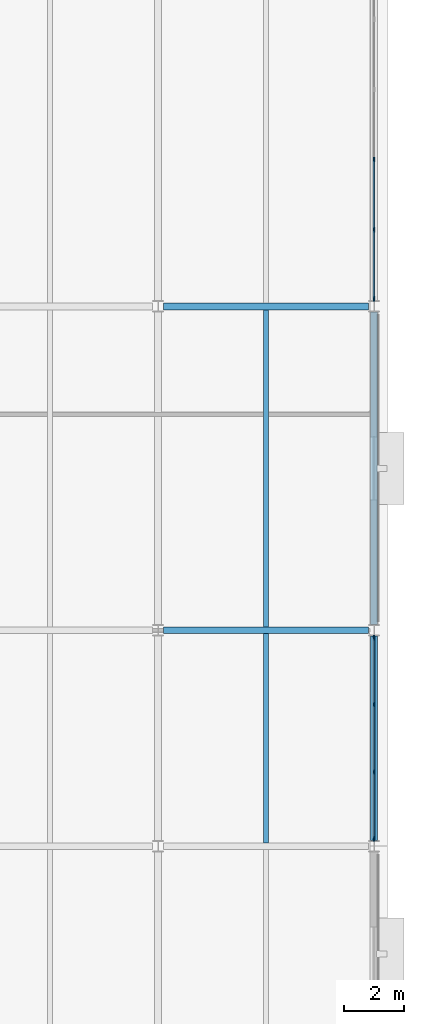
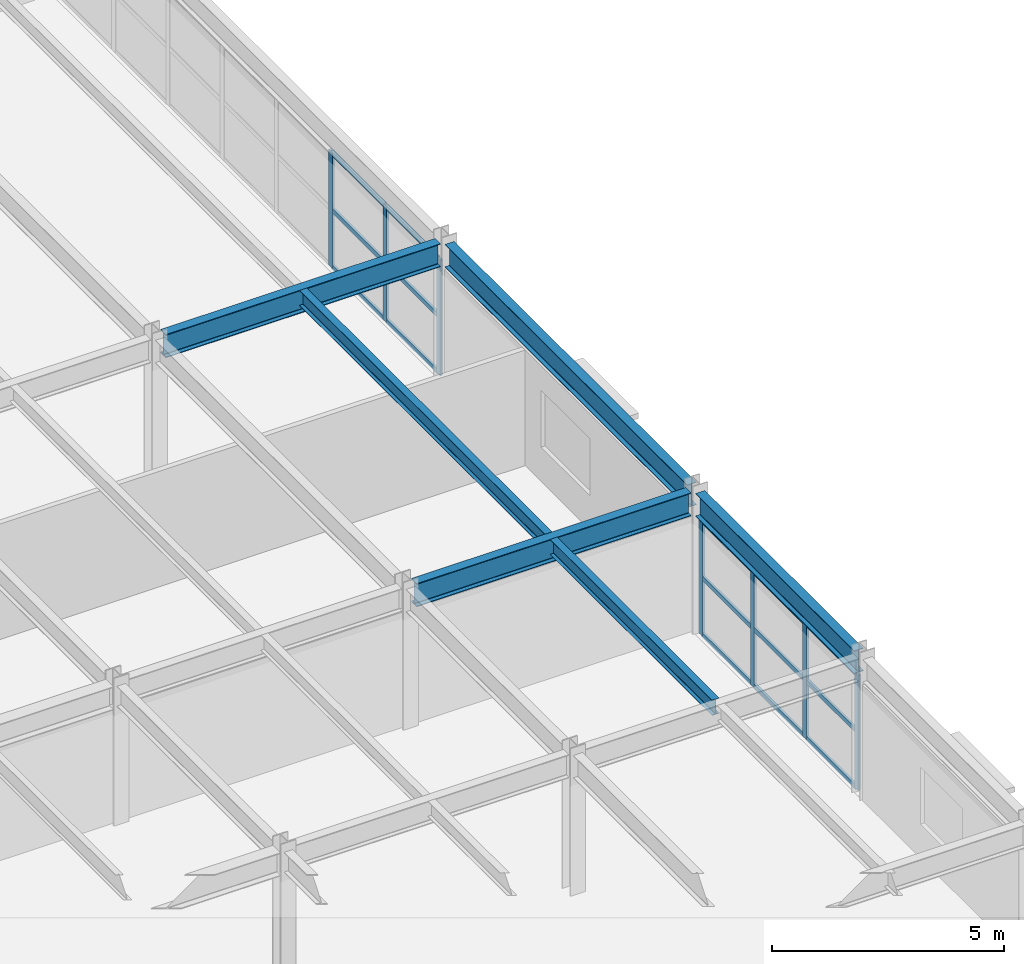
# One storey, part 39 of 93: 22 members, 6 beams, 2 elements without a shape of their own.
"""IFC4 building model written with IfcOpenShell, lengths in metres."""

import ifcopenshell
import ifcopenshell.guid

model = None  # the IFC model being written
_history = None  # IfcOwnerHistory: only IFC2X3 demands one
_inside = {}  # id of a spatial element -> (the spatial element, [elements in it])
_under = {}  # id of a project, library or spatial element -> (it, [spatial elements below it])
_declared = {}  # id of a project -> (the project, [libraries it declares])
_typed = {}  # id of a type object -> (the type object, [elements of that type])
_made_of = {}  # id of a material, layer set ... -> (it, [elements and type objects made of it])


def new_model(schema):
    """Start an empty IFC model of exactly this schema.

    Asked for "IFC4X3", IfcOpenShell would pick the latest addendum, in which some entities
    have other attributes; the version numbers below select the first issue.
    IFC2X3 requires an IfcOwnerHistory on every rooted entity: one is made here for all.
    """
    global model, _history
    if schema == "IFC4X3":
        model = ifcopenshell.file(schema_version=(4, 3, 0, 0))
    else:
        model = ifcopenshell.file(schema=schema)
    _inside.clear()
    _under.clear()
    _declared.clear()
    _typed.clear()
    _made_of.clear()
    _history = None
    if model.schema == "IFC2X3":
        org = make("IfcOrganization", Name="unknown")
        user = make(
            "IfcPersonAndOrganization",
            ThePerson=make("IfcPerson", FamilyName="unknown"),
            TheOrganization=org,
        )
        app = make(
            "IfcApplication",
            ApplicationDeveloper=org,
            Version="unknown",
            ApplicationFullName="unknown",
            ApplicationIdentifier="unknown",
        )
        _history = make(
            "IfcOwnerHistory",
            OwningUser=user,
            OwningApplication=app,
            ChangeAction="ADDED",
            CreationDate=0,
        )
    return model


def make(cls, **values):
    """One entity of the class cls with the attributes given. An attribute that is None is left unset."""
    return model.create_entity(
        cls, **{name: value for name, value in values.items() if value is not None}
    )


def rooted(cls, **values):
    """An entity with a GlobalId (a new one), such as an element, a storey or a relation."""
    return make(cls, GlobalId=ifcopenshell.guid.new(), OwnerHistory=_history, **values)


def si_unit(unit_type, name, prefix=None):
    """IfcSIUnit, for example si_unit("LENGTHUNIT", "METRE", prefix="MILLI")."""
    return make("IfcSIUnit", UnitType=unit_type, Prefix=prefix, Name=name)


def assignment(units):
    """IfcUnitAssignment: the units of a project."""
    return None if units is None else make("IfcUnitAssignment", Units=units)


def point(xyz):
    """IfcCartesianPoint."""
    return None if xyz is None else make("IfcCartesianPoint", Coordinates=xyz)


def direction(xyz):
    """IfcDirection."""
    return None if xyz is None else make("IfcDirection", DirectionRatios=xyz)


def frame(location, z_axis=None, x_axis=None):
    """IfcAxis2Placement3D, a coordinate frame: its origin and axes. An axis left out is left unset."""
    return make(
        "IfcAxis2Placement3D",
        Location=point(location),
        Axis=direction(z_axis),
        RefDirection=direction(x_axis),
    )


def frame_2d(location, x_axis=None):
    """IfcAxis2Placement2D, a coordinate frame in the plane: its origin and x axis."""
    return make(
        "IfcAxis2Placement2D", Location=point(location), RefDirection=direction(x_axis)
    )


def origin():
    """The frame at (0, 0, 0) with its axes left unset."""
    return frame((0.0, 0.0, 0.0))


def origin_2d():
    """The frame at (0, 0) in the plane with its x axis left unset."""
    return frame_2d((0.0, 0.0))


def place(relative_to, where):
    """IfcLocalPlacement: puts the frame where relative to a parent placement (None: the world)."""
    return make(
        "IfcLocalPlacement", PlacementRelTo=relative_to, RelativePlacement=where
    )


def context(
    kind, dimensions, precision=None, world=None, true_north=None, identifier=None
):
    """IfcGeometricRepresentationContext, for example the 3D "Model" context."""
    return make(
        "IfcGeometricRepresentationContext",
        ContextIdentifier=identifier,
        ContextType=kind,
        CoordinateSpaceDimension=dimensions,
        Precision=precision,
        WorldCoordinateSystem=world,
        TrueNorth=true_north,
    )


def subcontext(parent, identifier, kind, view, scale=None):
    """IfcGeometricRepresentationSubContext, for example "Body" below "Model"."""
    return make(
        "IfcGeometricRepresentationSubContext",
        ContextIdentifier=identifier,
        ContextType=kind,
        ParentContext=parent,
        TargetScale=scale,
        TargetView=view,
    )


def project(units=None, contexts=None):
    """IfcProject with its units and contexts."""
    return rooted(
        "IfcProject",
        Name="project",
        RepresentationContexts=contexts,
        UnitsInContext=assignment(units),
    )


def spatial(cls, under=None, at=None, **own):
    """A site, building, storey or space (cls), placed at a placement, below another one or the project."""
    s = rooted(cls, ObjectPlacement=at, **own)
    if under is not None:
        _under.setdefault(under.id(), (under, []))[1].append(s)
    return s


def profile(cls, at=None, kind="AREA", **sizes):
    """A parametric profile (cls). Its sizes go by their IFC names, for example OverallWidth=200.0."""
    return make(cls, ProfileType=kind, Position=at, **sizes)


def rectangle(**sizes):
    """IfcRectangleProfileDef."""
    return profile("IfcRectangleProfileDef", **sizes)


def i_section(**sizes):
    """IfcIShapeProfileDef."""
    return profile("IfcIShapeProfileDef", **sizes)


def extrude(swept, where, along, depth):
    """IfcExtrudedAreaSolid: the profile swept, set in the frame where, extruded along a direction by depth."""
    return make(
        "IfcExtrudedAreaSolid",
        SweptArea=swept,
        Position=where,
        ExtrudedDirection=direction(along),
        Depth=depth,
    )


def shape(context_of_items, identifier, shape_type, items):
    """IfcShapeRepresentation: the items that make up one representation, for example the "Body"."""
    return make(
        "IfcShapeRepresentation",
        ContextOfItems=context_of_items,
        RepresentationIdentifier=identifier,
        RepresentationType=shape_type,
        Items=items,
    )


def material(Name=None, Category=None):
    """IfcMaterial."""
    return make("IfcMaterial", Name=Name, Category=Category)


def material_profile(
    of_material, cross_section, Name=None, Category=None, Priority=None
):
    """IfcMaterialProfile: a cross section and its material."""
    return make(
        "IfcMaterialProfile",
        Name=Name,
        Material=of_material,
        Profile=cross_section,
        Priority=Priority,
        Category=Category,
    )


def profile_set(profiles, Name=None, composite=None):
    """IfcMaterialProfileSet."""
    return make(
        "IfcMaterialProfileSet",
        Name=Name,
        MaterialProfiles=profiles,
        CompositeProfile=composite,
    )


def made_of(thing, what):
    """Note that an element or type object is made of a material, layer set ...; save() writes the relation."""
    if what is not None:
        _made_of.setdefault(what.id(), (what, []))[1].append(thing)
    return thing


def type_object(cls, material=None, **own):
    """A type object (cls), such as IfcWallType, which elements share."""
    return made_of(rooted(cls, **own), material)


def element(
    cls,
    number,
    at=None,
    inside=None,
    cuts=None,
    type_object=None,
    material=None,
    context=None,
    identifier="Body",
    shape_type=None,
    held_by="IfcProductDefinitionShape",
    body=None,
    shapes=None,
    **own,
):
    """One element of the class cls, such as IfcWall. Its Tag is "e" and its number.

    at: its placement. inside: the storey or other place that contains it. cuts: it is an
    opening in that element (IfcRelVoidsElement). A single representation is given by context,
    identifier, shape_type and body (its items); several are given by shapes. held_by: the class
    of the entity that holds the representations. save() writes the other relations.
    """
    e = rooted(cls, Tag="e%d" % number, ObjectPlacement=at, **own)
    if body is not None:
        shapes = [shape(context, identifier, shape_type, body)]
    if shapes is not None:
        e.Representation = make(held_by, Representations=shapes)
    if inside is not None:
        _inside.setdefault(inside.id(), (inside, []))[1].append(e)
    if cuts is not None:
        rooted(
            "IfcRelVoidsElement", RelatingBuildingElement=cuts, RelatedOpeningElement=e
        )
    if type_object is not None:
        _typed.setdefault(type_object.id(), (type_object, []))[1].append(e)
    return made_of(e, material)


def aggregate(whole, parts):
    """IfcRelAggregates: a whole, such as a stair, and the parts it consists of."""
    return rooted("IfcRelAggregates", RelatingObject=whole, RelatedObjects=parts)


def save(model, path):
    """Write the relations noted so far, then the file.

    IfcRelAggregates (storeys below a building ...), IfcRelContainedInSpatialStructure (elements
    in a storey), IfcRelDefinesByType, IfcRelAssociatesMaterial and IfcRelDeclares: one each for
    every whole, place, type object, material and project.
    """
    for whole, parts in _under.values():
        aggregate(whole, parts)
    for where, things in _inside.values():
        rooted(
            "IfcRelContainedInSpatialStructure",
            RelatedElements=things,
            RelatingStructure=where,
        )
    for kind, things in _typed.values():
        rooted("IfcRelDefinesByType", RelatedObjects=things, RelatingType=kind)
    for what, things in _made_of.values():
        rooted("IfcRelAssociatesMaterial", RelatedObjects=things, RelatingMaterial=what)
    for by, libraries in _declared.values():
        rooted("IfcRelDeclares", RelatingContext=by, RelatedDefinitions=libraries)
    model.write(path)


model = new_model("IFC4")

# Units and contexts
model_context = context("Model", 3, precision=1e-05, world=origin(), true_north=direction((0.0, 1.0)))
body_context = subcontext(model_context, "Body", "Model", "MODEL_VIEW")
ifc_project = project(units=[si_unit("LENGTHUNIT", "METRE"), si_unit("AREAUNIT", "SQUARE_METRE"), si_unit("VOLUMEUNIT", "CUBIC_METRE"), si_unit("PLANEANGLEUNIT", "RADIAN"), si_unit("MASSUNIT", "GRAM", prefix="KILO")], contexts=[model_context])

# Site, building, storey
site_placement = place(None, origin())
site = spatial("IfcSite", under=ifc_project, at=site_placement, CompositionType="ELEMENT")
building_placement = place(site_placement, origin())
building = spatial("IfcBuilding", under=site, at=building_placement, Name="Vaelcorin Mobility Hub", CompositionType="ELEMENT")
storey_placement = place(building_placement, frame((0.0, 0.0, 5.39990234375)))
storey = spatial("IfcBuildingStorey", under=building, at=storey_placement, Name="L01", CompositionType="ELEMENT", Elevation=5.39990234375)

# Beams
ifc_material_1 = material(Name="Steel ASTM A992 Grade 50", Category="steel")
ifc_material_profile_1 = material_profile(ifc_material_1, i_section(OverallWidth=0.177978515625, OverallDepth=0.404052734375, WebThickness=0.007568359375, FlangeThickness=0.010986328125, FilletRadius=0.012939453125, at=origin_2d()), Name="W16X36")
ifc_profile_set_1 = profile_set([ifc_material_profile_1], Name="Steel ASTM A992 Grade 50")
beam_type_1 = type_object("IfcBeamType", Name="BM-W16X36", PredefinedType="JOIST", material=ifc_profile_set_1)
beam_1_placement = place(storey_placement, frame((200.39990234375, 42.112060546875, 3.498046875), z_axis=(0.0, 1.0, 0.0), x_axis=(-1.0, 0.0, 0.0)))
element("IfcBeam", 1, at=beam_1_placement, inside=storey, type_object=beam_type_1, Name="L01 Beam V5E-L01-J-02-06-1", PredefinedType="JOIST", context=body_context, shape_type="SweptSolid", body=[
    extrude(i_section(OverallWidth=0.177978515625, OverallDepth=0.404052734375, WebThickness=0.007568359375, FlangeThickness=0.010986328125, FilletRadius=0.012939453125, at=origin_2d()), origin(), (0.0, 0.0, 1.0), 6.975830078125),
])
beam_2_placement = place(storey_placement, frame((200.39990234375, 49.31201171875, 3.498046875), z_axis=(0.0, 1.0, 0.0), x_axis=(-1.0, 0.0, 0.0)))
element("IfcBeam", 2, at=beam_2_placement, inside=storey, type_object=beam_type_1, Name="L01 Beam V5E-L01-J-02-07-1", PredefinedType="JOIST", context=body_context, shape_type="SweptSolid", body=[
    extrude(i_section(OverallWidth=0.177978515625, OverallDepth=0.404052734375, WebThickness=0.007568359375, FlangeThickness=0.010986328125, FilletRadius=0.012939453125, at=origin_2d()), origin(), (0.0, 0.0, 1.0), 10.575927734375),
])
ifc_material_profile_2 = material_profile(ifc_material_1, i_section(OverallWidth=0.22802734375, OverallDepth=0.60205078125, WebThickness=0.010498046875, FlangeThickness=0.014892578125, FilletRadius=0.014892578125, at=origin_2d()), Name="W24X68")
ifc_profile_set_2 = profile_set([ifc_material_profile_2], Name="Steel ASTM A992 Grade 50")
beam_type_2 = type_object("IfcBeamType", Name="BM-W24X68", PredefinedType="SPANDREL", material=ifc_profile_set_2)
beam_3_placement = place(storey_placement, frame((204.0, 42.18408203125, 3.399169921875), z_axis=(0.0, 1.0, 0.0), x_axis=(-1.0, 0.0, 0.0)))
element("IfcBeam", 3, at=beam_3_placement, inside=storey, type_object=beam_type_2, Name="L01 Beam V5E-L01-GY-03-06", PredefinedType="SPANDREL", context=body_context, shape_type="SweptSolid", body=[
    extrude(i_section(OverallWidth=0.22802734375, OverallDepth=0.60205078125, WebThickness=0.010498046875, FlangeThickness=0.014892578125, FilletRadius=0.014892578125, at=origin_2d()), origin(), (0.0, 0.0, 1.0), 6.83203125),
])
beam_4_placement = place(storey_placement, frame((204.0, 49.384033203125, 3.399169921875), z_axis=(0.0, 1.0, 0.0), x_axis=(-1.0, 0.0, 0.0)))
element("IfcBeam", 4, at=beam_4_placement, inside=storey, type_object=beam_type_2, Name="L01 Beam V5E-L01-GY-03-07", PredefinedType="SPANDREL", context=body_context, shape_type="SweptSolid", body=[
    extrude(i_section(OverallWidth=0.22802734375, OverallDepth=0.60205078125, WebThickness=0.010498046875, FlangeThickness=0.014892578125, FilletRadius=0.014892578125, at=origin_2d()), origin(), (0.0, 0.0, 1.0), 10.431884765625),
])
ifc_material_profile_3 = material_profile(ifc_material_1, i_section(OverallWidth=0.22900390625, OverallDepth=0.612060546875, WebThickness=0.011962890625, FlangeThickness=0.01953125, FilletRadius=0.014892578125, at=origin_2d()), Name="W24X84")
ifc_profile_set_3 = profile_set([ifc_material_profile_3], Name="Steel ASTM A992 Grade 50")
beam_type_3 = type_object("IfcBeamType", Name="BM-W24X84", PredefinedType="BEAM", material=ifc_profile_set_3)
for number, where, z_axis, x_axis, name in (
    (5, (196.985107421875, 49.199951171875, 3.39404296875), (1.0, 0.0, 0.0), (0.0, 1.0, 0.0), "L01 Beam V5E-L01-GX-07-02"),
    (6, (196.985107421875, 60.0, 3.39404296875), (1.0, 0.0, 0.0), (0.0, 1.0, 0.0), "L01 Beam V5E-L01-GX-08-02"),
):
    element("IfcBeam", number, at=place(storey_placement, frame(where, z_axis=z_axis, x_axis=x_axis)), inside=storey, type_object=beam_type_3, Name=name, PredefinedType="BEAM", context=body_context, shape_type="SweptSolid", body=[
        extrude(i_section(OverallWidth=0.22900390625, OverallDepth=0.612060546875, WebThickness=0.011962890625, FlangeThickness=0.01953125, FilletRadius=0.014892578125, at=origin_2d()), origin(), (0.0, 0.0, 1.0), 6.830810546875),
    ])

# Curtain wall, members
ifc_material_2 = material(Name="Anodised aluminium 6063-T6", Category="aluminium")
curtain_wall_type = type_object("IfcCurtainWallType", Name="CW-MOB-A", PredefinedType="NOTDEFINED", material=ifc_material_2)
curtain_wall_1_placement = place(storey_placement, origin())
curtain_wall_1 = element("IfcCurtainWall", 7, at=curtain_wall_1_placement, inside=storey, type_object=curtain_wall_type, Name="L01 Curtain Wall CW-V5-L01-E-06", PredefinedType="NOTDEFINED")
ifc_material_profile_4 = material_profile(ifc_material_2, rectangle(XDim=0.06005859375, YDim=0.159912109375, at=origin_2d()), Name="ALU-M60X160")
ifc_profile_set_4 = profile_set([ifc_material_profile_4], Name="Anodised aluminium 6063-T6")
member_type_1 = type_object("IfcMemberType", Name="CW-MULL-160", PredefinedType="MULLION", material=ifc_profile_set_4)
member_1_placement = place(storey_placement, frame((204.0, 48.949951171875, 0.0), z_axis=(0.0, 0.0, 1.0), x_axis=(1.0, 0.0, 0.0)))
member_1 = element("IfcMember", 8, at=member_1_placement, type_object=member_type_1, Name="CW7 mullion 1", PredefinedType="MULLION", context=body_context, shape_type="SweptSolid", body=[
    extrude(rectangle(XDim=0.06005859375, YDim=0.159912109375, at=origin_2d()), origin(), (0.0, 0.0, 1.0), 3.043212890625),
])
member_2_placement = place(storey_placement, frame((204.0, 46.7265625, 0.0), z_axis=(0.0, 0.0, 1.0), x_axis=(1.0, 0.0, 0.0)))
member_2 = element("IfcMember", 9, at=member_2_placement, type_object=member_type_1, Name="CW7 mullion 2", PredefinedType="MULLION", context=body_context, shape_type="SweptSolid", body=[
    extrude(rectangle(XDim=0.06005859375, YDim=0.159912109375, at=origin_2d()), origin(), (0.0, 0.0, 1.0), 3.043212890625),
])
member_3_placement = place(storey_placement, frame((204.0, 44.473388671875, 0.0), z_axis=(0.0, 0.0, 1.0), x_axis=(1.0, 0.0, 0.0)))
member_3 = element("IfcMember", 10, at=member_3_placement, type_object=member_type_1, Name="CW7 mullion 3", PredefinedType="MULLION", context=body_context, shape_type="SweptSolid", body=[
    extrude(rectangle(XDim=0.06005859375, YDim=0.159912109375, at=origin_2d()), origin(), (0.0, 0.0, 1.0), 3.043212890625),
])
member_4_placement = place(storey_placement, frame((204.0, 42.25, 0.0), z_axis=(0.0, 0.0, 1.0), x_axis=(1.0, 0.0, 0.0)))
member_4 = element("IfcMember", 11, at=member_4_placement, type_object=member_type_1, Name="CW7 mullion 4", PredefinedType="MULLION", context=body_context, shape_type="SweptSolid", body=[
    extrude(rectangle(XDim=0.06005859375, YDim=0.159912109375, at=origin_2d()), origin(), (0.0, 0.0, 1.0), 3.043212890625),
])

curtain_wall_2_placement = place(storey_placement, origin())
curtain_wall_2 = element("IfcCurtainWall", 12, at=curtain_wall_2_placement, inside=storey, type_object=curtain_wall_type, Name="L01 Curtain Wall CW-V5-L01-E-08", PredefinedType="NOTDEFINED")
member_5_placement = place(storey_placement, frame((204.0, 64.894287109375, 0.0), z_axis=(0.0, 0.0, 1.0), x_axis=(1.0, 0.0, 0.0)))
member_5 = element("IfcMember", 13, at=member_5_placement, type_object=member_type_1, Name="CW7 mullion 6", PredefinedType="MULLION", context=body_context, shape_type="SweptSolid", body=[
    extrude(rectangle(XDim=0.06005859375, YDim=0.159912109375, at=origin_2d()), origin(), (0.0, 0.0, 1.0), 3.043212890625),
])
member_6_placement = place(storey_placement, frame((204.0, 62.55712890625, 0.0), z_axis=(0.0, 0.0, 1.0), x_axis=(1.0, 0.0, 0.0)))
member_6 = element("IfcMember", 14, at=member_6_placement, type_object=member_type_1, Name="CW7 mullion 7", PredefinedType="MULLION", context=body_context, shape_type="SweptSolid", body=[
    extrude(rectangle(XDim=0.06005859375, YDim=0.159912109375, at=origin_2d()), origin(), (0.0, 0.0, 1.0), 3.043212890625),
])
member_7_placement = place(storey_placement, frame((204.0, 60.25, 0.0), z_axis=(0.0, 0.0, 1.0), x_axis=(1.0, 0.0, 0.0)))
member_7 = element("IfcMember", 15, at=member_7_placement, type_object=member_type_1, Name="CW7 mullion 8", PredefinedType="MULLION", context=body_context, shape_type="SweptSolid", body=[
    extrude(rectangle(XDim=0.06005859375, YDim=0.159912109375, at=origin_2d()), origin(), (0.0, 0.0, 1.0), 3.043212890625),
])

# Member
ifc_material_profile_5 = material_profile(ifc_material_2, rectangle(XDim=0.06005859375, YDim=0.1201171875, at=origin_2d()), Name="ALU-T60X120")
ifc_profile_set_5 = profile_set([ifc_material_profile_5], Name="Anodised aluminium 6063-T6")
member_type_2 = type_object("IfcMemberType", Name="CW-TRAN-140", PredefinedType="USERDEFINED", material=ifc_profile_set_5)
member_8_placement = place(storey_placement, frame((204.0, 48.919921875, 0.030029296875), z_axis=(0.0, -1.0, 0.0), x_axis=(1.0, 0.0, 0.0)))
member_8 = element("IfcMember", 16, at=member_8_placement, type_object=member_type_2, Name="CW7 transom 1.1", ObjectType="TRANSOM", PredefinedType="USERDEFINED", context=body_context, shape_type="SweptSolid", body=[
    extrude(rectangle(XDim=0.06005859375, YDim=0.1201171875, at=origin_2d()), origin(), (0.0, 0.0, 1.0), 2.163330078125),
])

member_9_placement = place(storey_placement, frame((204.0, 48.919921875, 1.522216796875), z_axis=(0.0, -1.0, 0.0), x_axis=(1.0, 0.0, 0.0)))
member_9 = element("IfcMember", 17, at=member_9_placement, type_object=member_type_2, Name="CW7 transom 1.2", ObjectType="TRANSOM", PredefinedType="USERDEFINED", context=body_context, shape_type="SweptSolid", body=[
    extrude(rectangle(XDim=0.06005859375, YDim=0.1201171875, at=origin_2d()), origin(), (0.0, 0.0, 1.0), 2.163330078125),
])

member_10_placement = place(storey_placement, frame((204.0, 48.919921875, 3.01318359375), z_axis=(0.0, -1.0, 0.0), x_axis=(1.0, 0.0, 0.0)))
member_10 = element("IfcMember", 18, at=member_10_placement, type_object=member_type_2, Name="CW7 transom 1.3", ObjectType="TRANSOM", PredefinedType="USERDEFINED", context=body_context, shape_type="SweptSolid", body=[
    extrude(rectangle(XDim=0.06005859375, YDim=0.1201171875, at=origin_2d()), origin(), (0.0, 0.0, 1.0), 2.163330078125),
])

member_11_placement = place(storey_placement, frame((204.0, 46.69677734375, 0.030029296875), z_axis=(0.0, -1.0, 0.0), x_axis=(1.0, 0.0, 0.0)))
member_11 = element("IfcMember", 19, at=member_11_placement, type_object=member_type_2, Name="CW7 transom 2.1", ObjectType="TRANSOM", PredefinedType="USERDEFINED", context=body_context, shape_type="SweptSolid", body=[
    extrude(rectangle(XDim=0.06005859375, YDim=0.1201171875, at=origin_2d()), origin(), (0.0, 0.0, 1.0), 2.193359375),
])

member_12_placement = place(storey_placement, frame((204.0, 46.69677734375, 1.522216796875), z_axis=(0.0, -1.0, 0.0), x_axis=(1.0, 0.0, 0.0)))
member_12 = element("IfcMember", 20, at=member_12_placement, type_object=member_type_2, Name="CW7 transom 2.2", ObjectType="TRANSOM", PredefinedType="USERDEFINED", context=body_context, shape_type="SweptSolid", body=[
    extrude(rectangle(XDim=0.06005859375, YDim=0.1201171875, at=origin_2d()), origin(), (0.0, 0.0, 1.0), 2.193359375),
])

member_13_placement = place(storey_placement, frame((204.0, 46.69677734375, 3.01318359375), z_axis=(0.0, -1.0, 0.0), x_axis=(1.0, 0.0, 0.0)))
member_13 = element("IfcMember", 21, at=member_13_placement, type_object=member_type_2, Name="CW7 transom 2.3", ObjectType="TRANSOM", PredefinedType="USERDEFINED", context=body_context, shape_type="SweptSolid", body=[
    extrude(rectangle(XDim=0.06005859375, YDim=0.1201171875, at=origin_2d()), origin(), (0.0, 0.0, 1.0), 2.193359375),
])

member_14_placement = place(storey_placement, frame((204.0, 44.443359375, 0.030029296875), z_axis=(0.0, -1.0, 0.0), x_axis=(1.0, 0.0, 0.0)))
member_14 = element("IfcMember", 22, at=member_14_placement, type_object=member_type_2, Name="CW7 transom 3.1", ObjectType="TRANSOM", PredefinedType="USERDEFINED", context=body_context, shape_type="SweptSolid", body=[
    extrude(rectangle(XDim=0.06005859375, YDim=0.1201171875, at=origin_2d()), origin(), (0.0, 0.0, 1.0), 2.163330078125),
])

member_15_placement = place(storey_placement, frame((204.0, 44.443359375, 1.522216796875), z_axis=(0.0, -1.0, 0.0), x_axis=(1.0, 0.0, 0.0)))
member_15 = element("IfcMember", 23, at=member_15_placement, type_object=member_type_2, Name="CW7 transom 3.2", ObjectType="TRANSOM", PredefinedType="USERDEFINED", context=body_context, shape_type="SweptSolid", body=[
    extrude(rectangle(XDim=0.06005859375, YDim=0.1201171875, at=origin_2d()), origin(), (0.0, 0.0, 1.0), 2.163330078125),
])

member_16_placement = place(storey_placement, frame((204.0, 44.443359375, 3.01318359375), z_axis=(0.0, -1.0, 0.0), x_axis=(1.0, 0.0, 0.0)))
member_16 = element("IfcMember", 24, at=member_16_placement, type_object=member_type_2, Name="CW7 transom 3.3", ObjectType="TRANSOM", PredefinedType="USERDEFINED", context=body_context, shape_type="SweptSolid", body=[
    extrude(rectangle(XDim=0.06005859375, YDim=0.1201171875, at=origin_2d()), origin(), (0.0, 0.0, 1.0), 2.163330078125),
])

aggregate(curtain_wall_1, [member_1, member_2, member_3, member_4, member_8, member_9, member_10, member_11, member_12, member_13, member_14, member_15, member_16])

member_17_placement = place(storey_placement, frame((204.0, 64.8642578125, 0.030029296875), z_axis=(0.0, -1.0, 0.0), x_axis=(1.0, 0.0, 0.0)))
member_17 = element("IfcMember", 25, at=member_17_placement, type_object=member_type_2, Name="CW7 transom 6.1", ObjectType="TRANSOM", PredefinedType="USERDEFINED", context=body_context, shape_type="SweptSolid", body=[
    extrude(rectangle(XDim=0.06005859375, YDim=0.1201171875, at=origin_2d()), origin(), (0.0, 0.0, 1.0), 2.277099609375),
])

member_18_placement = place(storey_placement, frame((204.0, 64.8642578125, 1.522216796875), z_axis=(0.0, -1.0, 0.0), x_axis=(1.0, 0.0, 0.0)))
member_18 = element("IfcMember", 26, at=member_18_placement, type_object=member_type_2, Name="CW7 transom 6.2", ObjectType="TRANSOM", PredefinedType="USERDEFINED", context=body_context, shape_type="SweptSolid", body=[
    extrude(rectangle(XDim=0.06005859375, YDim=0.1201171875, at=origin_2d()), origin(), (0.0, 0.0, 1.0), 2.277099609375),
])

member_19_placement = place(storey_placement, frame((204.0, 64.8642578125, 3.01318359375), z_axis=(0.0, -1.0, 0.0), x_axis=(1.0, 0.0, 0.0)))
member_19 = element("IfcMember", 27, at=member_19_placement, type_object=member_type_2, Name="CW7 transom 6.3", ObjectType="TRANSOM", PredefinedType="USERDEFINED", context=body_context, shape_type="SweptSolid", body=[
    extrude(rectangle(XDim=0.06005859375, YDim=0.1201171875, at=origin_2d()), origin(), (0.0, 0.0, 1.0), 2.277099609375),
])

member_20_placement = place(storey_placement, frame((204.0, 62.527099609375, 0.030029296875), z_axis=(0.0, -1.0, 0.0), x_axis=(1.0, 0.0, 0.0)))
member_20 = element("IfcMember", 28, at=member_20_placement, type_object=member_type_2, Name="CW7 transom 7.1", ObjectType="TRANSOM", PredefinedType="USERDEFINED", context=body_context, shape_type="SweptSolid", body=[
    extrude(rectangle(XDim=0.06005859375, YDim=0.1201171875, at=origin_2d()), origin(), (0.0, 0.0, 1.0), 2.2470703125),
])

member_21_placement = place(storey_placement, frame((204.0, 62.527099609375, 1.522216796875), z_axis=(0.0, -1.0, 0.0), x_axis=(1.0, 0.0, 0.0)))
member_21 = element("IfcMember", 29, at=member_21_placement, type_object=member_type_2, Name="CW7 transom 7.2", ObjectType="TRANSOM", PredefinedType="USERDEFINED", context=body_context, shape_type="SweptSolid", body=[
    extrude(rectangle(XDim=0.06005859375, YDim=0.1201171875, at=origin_2d()), origin(), (0.0, 0.0, 1.0), 2.2470703125),
])

member_22_placement = place(storey_placement, frame((204.0, 62.527099609375, 3.01318359375), z_axis=(0.0, -1.0, 0.0), x_axis=(1.0, 0.0, 0.0)))
member_22 = element("IfcMember", 30, at=member_22_placement, type_object=member_type_2, Name="CW7 transom 7.3", ObjectType="TRANSOM", PredefinedType="USERDEFINED", context=body_context, shape_type="SweptSolid", body=[
    extrude(rectangle(XDim=0.06005859375, YDim=0.1201171875, at=origin_2d()), origin(), (0.0, 0.0, 1.0), 2.2470703125),
])

aggregate(curtain_wall_2, [member_5, member_6, member_7, member_17, member_18, member_19, member_20, member_21, member_22])

save(model, "model.ifc")
